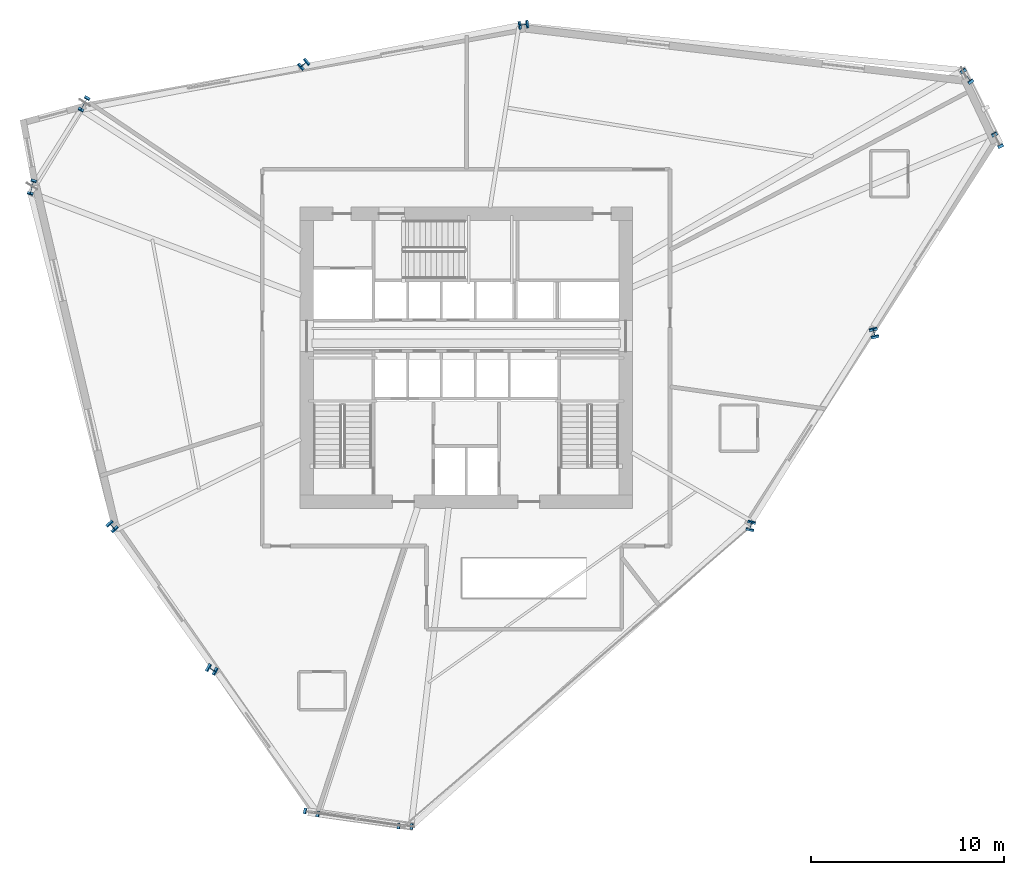
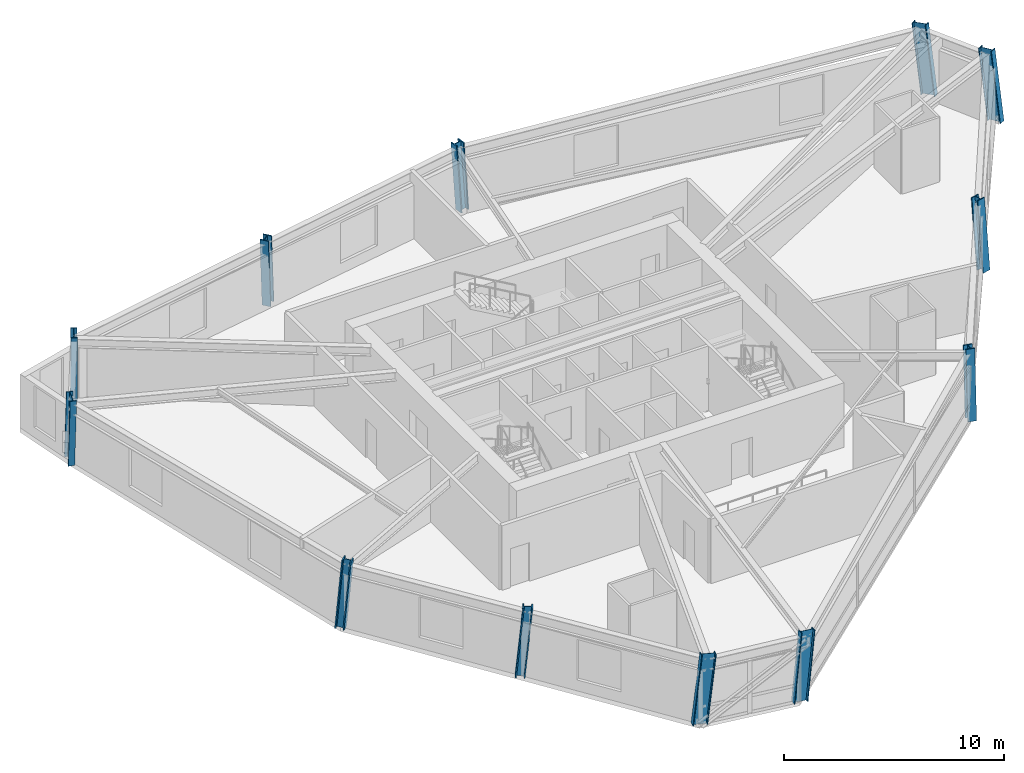
# One storey, part 1 of 16: 12 columns.
"""IFC4 building model written with IfcOpenShell, lengths in metres."""

from ifc_helpers import new_model, si_unit, direction, frame, origin, origin_2d, place, context, subcontext, project, spatial, i_section, extrude, source, transform, mapped, material, material_profile, profile_set, type_object, element, save


model = new_model("IFC4")

# Units and contexts
model_context = context("Model", 3, precision=1e-05, world=origin(), true_north=direction((0.0, 1.0)))
body_context = subcontext(model_context, "Body", "Model", "MODEL_VIEW")
ifc_project = project(units=[si_unit("LENGTHUNIT", "METRE"), si_unit("AREAUNIT", "SQUARE_METRE"), si_unit("VOLUMEUNIT", "CUBIC_METRE"), si_unit("PLANEANGLEUNIT", "RADIAN"), si_unit("MASSUNIT", "GRAM", prefix="KILO")], contexts=[model_context])

# Site, building, storey
site_placement = place(None, origin())
site = spatial("IfcSite", under=ifc_project, at=site_placement, CompositionType="ELEMENT")
building_placement = place(site_placement, origin())
building = spatial("IfcBuilding", under=site, at=building_placement, Name="Olszyna Solenne Hotel", CompositionType="ELEMENT")
storey_placement = place(building_placement, frame((0.0, 0.0, 138.10009765625)))
storey = spatial("IfcBuildingStorey", under=building, at=storey_placement, Name="L36", CompositionType="ELEMENT", Elevation=138.10009765625)

# Columns
ifc_material = material(Name="Steel S460M", Category="steel")
ifc_material_profile_1 = material_profile(ifc_material, i_section(OverallWidth=0.303955078125, OverallDepth=0.716064453125, WebThickness=0.02099609375, FlangeThickness=0.0400390625, at=origin_2d()), Name="HEM 700", Category="load-bearing")
ifc_profile_set_1 = profile_set([ifc_material_profile_1], Name="Steel S460M")
column_type_1 = type_object("IfcColumnType", Name="COL-K2", PredefinedType="COLUMN", material=ifc_profile_set_1)
shared_shape_1 = source(origin(), body_context, "Body", "SweptSolid", [
    extrude(i_section(OverallWidth=0.303955078125, OverallDepth=0.716064453125, WebThickness=0.02099609375, FlangeThickness=0.0400390625, at=origin_2d()), origin(), (0.0, 0.0, 1.0), 3.865478515625),
])
column_1_placement = place(storey_placement, frame((65.524169921875, 37.78466796875, 0.0), z_axis=(-0.05873863121, 0.110719161841, 0.992114429088), x_axis=(-0.883383082939, -0.468651607036, 0.0)))
element("IfcColumn", 1, at=column_1_placement, inside=storey, type_object=column_type_1, Name="Perimeter framed-tube column COL-K2 C-L36-01", PredefinedType="COLUMN", context=body_context, shape_type="MappedRepresentation", body=[
    mapped(shared_shape_1, transform((0.0, 0.0, 0.0), x_axis=(1.0, 0.0, 0.0), y_axis=(0.0, 1.0, 0.0), z_axis=(0.0, 0.0, 1.0), scale=1.0)),
])
shared_shape_2 = source(origin(), body_context, "Body", "SweptSolid", [
    extrude(i_section(OverallWidth=0.303955078125, OverallDepth=0.716064453125, WebThickness=0.02099609375, FlangeThickness=0.0400390625, at=origin_2d()), origin(), (0.0, 0.0, 1.0), 3.861572265625),
])
column_2_placement = place(storey_placement, frame((63.951171875, 41.1044921875, 0.0), z_axis=(-0.067901574351, 0.09553005479, 0.993107942186), x_axis=(-0.815079857812, -0.579348621634, 0.0)))
element("IfcColumn", 2, at=column_2_placement, inside=storey, type_object=column_type_1, Name="Perimeter framed-tube column COL-K2 C-L36-02", PredefinedType="COLUMN", context=body_context, shape_type="MappedRepresentation", body=[
    mapped(shared_shape_2, transform((0.0, 0.0, 0.0), x_axis=(1.0, 0.0, 0.0), y_axis=(0.0, 1.0, 0.0), z_axis=(0.0, 0.0, 1.0), scale=1.0)),
])
ifc_material_profile_2 = material_profile(ifc_material, i_section(OverallWidth=0.41796875, OverallDepth=0.455078125, WebThickness=0.03759765625, FlangeThickness=0.05908203125, at=origin_2d()), Name="HD 400x551", Category="load-bearing")
ifc_profile_set_2 = profile_set([ifc_material_profile_2], Name="Steel S460M")
column_type_2 = type_object("IfcColumnType", Name="COL-T2", PredefinedType="COLUMN", material=ifc_profile_set_2)
shared_shape_3 = source(origin(), body_context, "Body", "SweptSolid", [
    extrude(i_section(OverallWidth=0.41796875, OverallDepth=0.455078125, WebThickness=0.03759765625, FlangeThickness=0.05908203125, at=origin_2d()), origin(), (0.0, 0.0, 1.0), 3.84521484375),
])
column_3_placement = place(storey_placement, frame((41.00732421875, 43.83154296875, 0.0), z_axis=(-0.071811479916, -0.010730451022, 0.997360500909), x_axis=(0.147784535061, -0.989019580795, 0.0)))
element("IfcColumn", 3, at=column_3_placement, inside=storey, type_object=column_type_2, Name="Perimeter framed-tube column COL-T2 C-L36-03", PredefinedType="COLUMN", context=body_context, shape_type="MappedRepresentation", body=[
    mapped(shared_shape_3, transform((0.0, 0.0, 0.0), x_axis=(1.0, 0.0, 0.0), y_axis=(0.0, 1.0, 0.0), z_axis=(0.0, 0.0, 1.0), scale=1.0)),
])
shared_shape_4 = source(origin(), body_context, "Body", "SweptSolid", [
    extrude(i_section(OverallWidth=0.41796875, OverallDepth=0.455078125, WebThickness=0.03759765625, FlangeThickness=0.05908203125, at=origin_2d()), origin(), (0.0, 0.0, 1.0), 3.846923828125),
])
column_4_placement = place(storey_placement, frame((29.63330078125, 41.80859375, 0.0), z_axis=(-0.06041801268, -0.050454117732, 0.996897209219), x_axis=(0.640977101673, -0.767560000997, 0.0)))
element("IfcColumn", 4, at=column_4_placement, inside=storey, type_object=column_type_2, Name="Perimeter framed-tube column COL-T2 C-L36-04", PredefinedType="COLUMN", context=body_context, shape_type="MappedRepresentation", body=[
    mapped(shared_shape_4, transform((0.0, 0.0, 0.0), x_axis=(1.0, 0.0, 0.0), y_axis=(0.0, 1.0, 0.0), z_axis=(0.0, 0.0, 1.0), scale=1.0)),
])
shared_shape_5 = source(origin(), body_context, "Body", "SweptSolid", [
    extrude(i_section(OverallWidth=0.303955078125, OverallDepth=0.716064453125, WebThickness=0.02099609375, FlangeThickness=0.0400390625, at=origin_2d()), origin(), (0.0, 0.0, 1.0), 3.855224609375),
])
column_5_placement = place(storey_placement, frame((18.25927734375, 39.78564453125, 0.0), z_axis=(-0.048951982547, -0.089924728611, 0.994744814809), x_axis=(0.878297104228, -0.478115254625, 0.0)))
element("IfcColumn", 5, at=column_5_placement, inside=storey, type_object=column_type_1, Name="Perimeter framed-tube column COL-K2 C-L36-05", PredefinedType="COLUMN", context=body_context, shape_type="MappedRepresentation", body=[
    mapped(shared_shape_5, transform((0.0, 0.0, 0.0), x_axis=(1.0, 0.0, 0.0), y_axis=(0.0, 1.0, 0.0), z_axis=(0.0, 0.0, 1.0), scale=1.0)),
])
shared_shape_6 = source(origin(), body_context, "Body", "SweptSolid", [
    extrude(i_section(OverallWidth=0.303955078125, OverallDepth=0.716064453125, WebThickness=0.02099609375, FlangeThickness=0.0400390625, at=origin_2d()), origin(), (0.0, 0.0, 1.0), 3.852294921875),
])
column_6_placement = place(storey_placement, frame((34.78515625, 2.36181640625, 0.0), z_axis=(0.094871440027, -0.003105344396, 0.995484689337), x_axis=(0.032714610528, 0.999464733874, 0.0)))
element("IfcColumn", 6, at=column_6_placement, inside=storey, type_object=column_type_1, Name="Perimeter framed-tube column COL-K2 C-L36-10", PredefinedType="COLUMN", context=body_context, shape_type="MappedRepresentation", body=[
    mapped(shared_shape_6, transform((0.0, 0.0, 0.0), x_axis=(1.0, 0.0, 0.0), y_axis=(0.0, 1.0, 0.0), z_axis=(0.0, 0.0, 1.0), scale=1.0)),
])
shared_shape_7 = source(origin(), body_context, "Body", "SweptSolid", [
    extrude(i_section(OverallWidth=0.303955078125, OverallDepth=0.716064453125, WebThickness=0.02099609375, FlangeThickness=0.0400390625, at=origin_2d()), origin(), (0.0, 0.0, 1.0), 3.851318359375),
])
column_7_placement = place(storey_placement, frame((15.546142578125, 35.476806640625, 0.0), z_axis=(-0.024151389797, -0.089188990666, 0.995721865942), x_axis=(0.965237189927, -0.261375529042, 0.0)))
element("IfcColumn", 7, at=column_7_placement, inside=storey, type_object=column_type_1, Name="Perimeter framed-tube column COL-K2 C-L36-06", PredefinedType="COLUMN", context=body_context, shape_type="MappedRepresentation", body=[
    mapped(shared_shape_7, transform((0.0, 0.0, 0.0), x_axis=(1.0, 0.0, 0.0), y_axis=(0.0, 1.0, 0.0), z_axis=(0.0, 0.0, 1.0), scale=1.0)),
])
shared_shape_8 = source(origin(), body_context, "Body", "SweptSolid", [
    extrude(i_section(OverallWidth=0.41796875, OverallDepth=0.455078125, WebThickness=0.03759765625, FlangeThickness=0.05908203125, at=origin_2d()), origin(), (0.0, 0.0, 1.0), 3.849365234375),
])
column_8_placement = place(storey_placement, frame((19.64404296875, 17.906494140625, 0.0), z_axis=(0.058158983264, -0.064057331621, 0.996250064457), x_axis=(0.740371121791, 0.672198335329, 0.0)))
element("IfcColumn", 8, at=column_8_placement, inside=storey, type_object=column_type_2, Name="Perimeter framed-tube column COL-T2 C-L36-07", PredefinedType="COLUMN", context=body_context, shape_type="MappedRepresentation", body=[
    mapped(shared_shape_8, transform((0.0, 0.0, 0.0), x_axis=(1.0, 0.0, 0.0), y_axis=(0.0, 1.0, 0.0), z_axis=(0.0, 0.0, 1.0), scale=1.0)),
])
shared_shape_9 = source(origin(), body_context, "Body", "SweptSolid", [
    extrude(i_section(OverallWidth=0.41796875, OverallDepth=0.455078125, WebThickness=0.03759765625, FlangeThickness=0.05908203125, at=origin_2d()), origin(), (0.0, 0.0, 1.0), 3.8515625),
])
column_9_placement = place(storey_placement, frame((24.789306640625, 10.49658203125, 0.0), z_axis=(0.08164191411, -0.044307218915, 0.995676387293), x_axis=(0.476986447057, 0.878910649227, 0.0)))
element("IfcColumn", 9, at=column_9_placement, inside=storey, type_object=column_type_2, Name="Perimeter framed-tube column COL-T2 C-L36-08", PredefinedType="COLUMN", context=body_context, shape_type="MappedRepresentation", body=[
    mapped(shared_shape_9, transform((0.0, 0.0, 0.0), x_axis=(1.0, 0.0, 0.0), y_axis=(0.0, 1.0, 0.0), z_axis=(0.0, 0.0, 1.0), scale=1.0)),
])
shared_shape_10 = source(origin(), body_context, "Body", "SweptSolid", [
    extrude(i_section(OverallWidth=0.303955078125, OverallDepth=0.716064453125, WebThickness=0.02099609375, FlangeThickness=0.0400390625, at=origin_2d()), origin(), (0.0, 0.0, 1.0), 3.857421875),
])
column_10_placement = place(storey_placement, frame((29.934326171875, 3.086669921875, 0.0), z_axis=(0.105061568815, -0.02461984956, 0.99416091744), x_axis=(0.228156573902, 0.973624454184, 0.0)))
element("IfcColumn", 10, at=column_10_placement, inside=storey, type_object=column_type_1, Name="Perimeter framed-tube column COL-K2 C-L36-09", PredefinedType="COLUMN", context=body_context, shape_type="MappedRepresentation", body=[
    mapped(shared_shape_10, transform((0.0, 0.0, 0.0), x_axis=(1.0, 0.0, 0.0), y_axis=(0.0, 1.0, 0.0), z_axis=(0.0, 0.0, 1.0), scale=1.0)),
])
shared_shape_11 = source(origin(), body_context, "Body", "SweptSolid", [
    extrude(i_section(OverallWidth=0.41796875, OverallDepth=0.455078125, WebThickness=0.03759765625, FlangeThickness=0.05908203125, at=origin_2d()), origin(), (0.0, 0.0, 1.0), 3.845703125),
])
column_11_placement = place(storey_placement, frame((52.71337890625, 17.852783203125, 0.0), z_axis=(0.016949823802, 0.073068341557, 0.99718289242), x_axis=(-0.974133806588, 0.225971960347, 0.0)))
element("IfcColumn", 11, at=column_11_placement, inside=storey, type_object=column_type_2, Name="Perimeter framed-tube column COL-T2 C-L36-11", PredefinedType="COLUMN", context=body_context, shape_type="MappedRepresentation", body=[
    mapped(shared_shape_11, transform((0.0, 0.0, 0.0), x_axis=(1.0, 0.0, 0.0), y_axis=(0.0, 1.0, 0.0), z_axis=(0.0, 0.0, 1.0), scale=1.0)),
])
shared_shape_12 = source(origin(), body_context, "Body", "SweptSolid", [
    extrude(i_section(OverallWidth=0.41796875, OverallDepth=0.455078125, WebThickness=0.03759765625, FlangeThickness=0.05908203125, at=origin_2d()), origin(), (0.0, 0.0, 1.0), 3.85205078125),
])
column_12_placement = place(storey_placement, frame((59.118896484375, 27.818603515625, 0.0), z_axis=(-0.021041344042, 0.092024191413, 0.99553443438), x_axis=(-0.97484183657, -0.222897720207, 0.0)))
element("IfcColumn", 12, at=column_12_placement, inside=storey, type_object=column_type_2, Name="Perimeter framed-tube column COL-T2 C-L36-12", PredefinedType="COLUMN", context=body_context, shape_type="MappedRepresentation", body=[
    mapped(shared_shape_12, transform((0.0, 0.0, 0.0), x_axis=(1.0, 0.0, 0.0), y_axis=(0.0, 1.0, 0.0), z_axis=(0.0, 0.0, 1.0), scale=1.0)),
])

save(model, "model.ifc")
